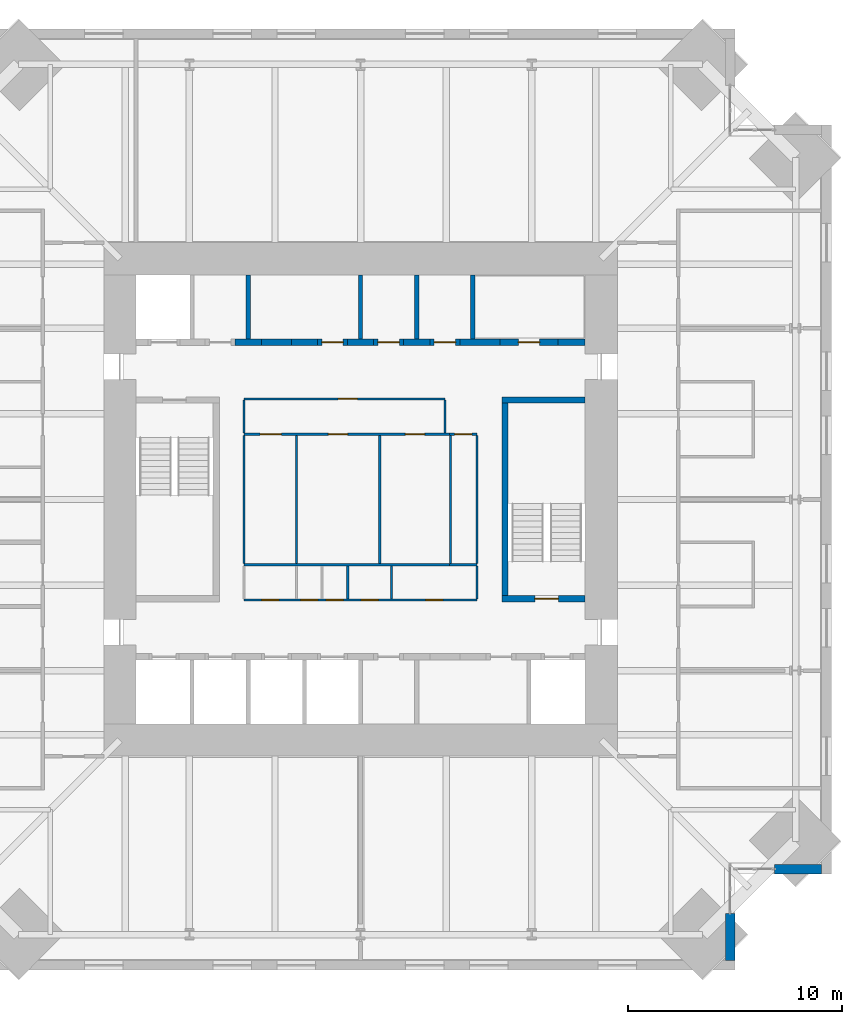
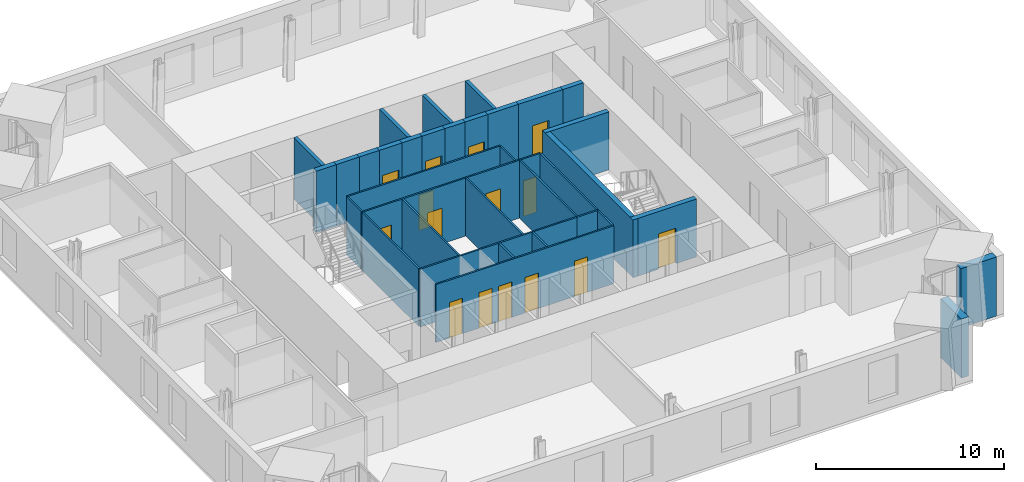
# One storey, part 13 of 16: 36 walls, 15 doors, 15 openings.
"""IFC4 building model written with IfcOpenShell, lengths in metres."""

from ifc_helpers import new_model, si_unit, direction, frame, frame_2d, origin, place, context, subcontext, project, spatial, rectangle, extrude, material, layer, layer_set, type_object, element, fill, save


model = new_model("IFC4")

# Units and contexts
model_context = context("Model", 3, precision=1e-05, world=origin(), true_north=direction((0.0, 1.0)))
body_context = subcontext(model_context, "Body", "Model", "MODEL_VIEW")
ifc_project = project(units=[si_unit("LENGTHUNIT", "METRE"), si_unit("AREAUNIT", "SQUARE_METRE"), si_unit("VOLUMEUNIT", "CUBIC_METRE"), si_unit("PLANEANGLEUNIT", "RADIAN"), si_unit("MASSUNIT", "GRAM", prefix="KILO")], contexts=[model_context])

# Site, building, storey
site_placement = place(None, origin())
site = spatial("IfcSite", under=ifc_project, at=site_placement, CompositionType="ELEMENT")
building_placement = place(site_placement, origin())
building = spatial("IfcBuilding", under=site, at=building_placement, Name="Peilmerk Tower", CompositionType="ELEMENT")
storey_placement = place(building_placement, frame((0.0, 0.0, 261.800048828125)))
storey = spatial("IfcBuildingStorey", under=building, at=storey_placement, Name="L58", CompositionType="ELEMENT", Elevation=261.800048828125)

# Walls
ifc_material_1 = material(Name="Precast concrete C45/55, board-marked finish", Category="concrete")
ifc_layer_1 = layer(ifc_material_1, 0.449951171875)
ifc_layer_set_1 = layer_set([ifc_layer_1], Name="Precast concrete C45/55, board-marked finish")
wall_type_1 = type_object("IfcWallType", Name="EW1 450 precast concrete facade wall, board-marked", PredefinedType="SOLIDWALL", material=ifc_layer_set_1)
for number, where, z_axis, x_axis, name in (
    (1, (17.27490234375, -19.353759765625, 0.0), (0.0, 0.0, 1.0), (0.0, -1.0, 0.0), "Facade wall SEA L58"),
    (2, (19.353759765625, -17.27490234375, 0.0), (0.0, 0.0, 1.0), (1.0, 0.0, 0.0), "Facade wall SEB L58"),
):
    element("IfcWall", number, at=place(storey_placement, frame(where, z_axis=z_axis, x_axis=x_axis)), inside=storey, type_object=wall_type_1, Name=name, PredefinedType="SOLIDWALL", context=body_context, shape_type="SweptSolid", body=[
        extrude(rectangle(XDim=2.1962890625, YDim=0.449951171875, at=frame_2d((1.09814453125, 0.0))), origin(), (0.0, 0.0, 1.0), 3.829833984375),
    ])
ifc_material_2 = material(Name="Concrete C35/45", Category="concrete")
ifc_layer_2 = layer(ifc_material_2, 0.300048828125)
ifc_layer_set_2 = layer_set([ifc_layer_2], Name="Concrete C35/45")
wall_type_2 = type_object("IfcWallType", Name="IW3 300 concrete stair enclosure wall, EI 120", PredefinedType="SOLIDWALL", material=ifc_layer_set_2)
wall_1_placement = place(storey_placement, frame((6.75, -4.800048828125, 0.0), z_axis=(0.0, 0.0, 1.0), x_axis=(0.0, 1.0, 0.0)))
element("IfcWall", 3, at=wall_1_placement, inside=storey, type_object=wall_type_2, Name="Stair 2 enclosure L58", PredefinedType="SOLIDWALL", context=body_context, shape_type="SweptSolid", body=[
    extrude(rectangle(XDim=9.60009765625, YDim=0.300048828125, at=frame_2d((4.800048828125, 0.0))), origin(), (0.0, 0.0, 1.0), 3.75),
])
wall_2_placement = place(storey_placement, frame((6.60009765625, 4.64990234375, 0.0), z_axis=(0.0, 0.0, 1.0), x_axis=(1.0, 0.0, 0.0)))
element("IfcWall", 4, at=wall_2_placement, inside=storey, type_object=wall_type_2, Name="Stair 2 enclosure L58", PredefinedType="SOLIDWALL", context=body_context, shape_type="SweptSolid", body=[
    extrude(rectangle(XDim=3.89990234375, YDim=0.300048828125, at=frame_2d((1.949951171875, 0.0))), origin(), (0.0, 0.0, 1.0), 3.75),
])

# Wall, opening, door
wall_3_placement = place(storey_placement, frame((10.5, -4.64990234375, 0.0), z_axis=(0.0, 0.0, 1.0), x_axis=(-1.0, 0.0, 0.0)))
wall_3 = element("IfcWall", 5, at=wall_3_placement, inside=storey, type_object=wall_type_2, Name="Stair 2 enclosure L58", PredefinedType="SOLIDWALL", context=body_context, shape_type="SweptSolid", body=[
    extrude(rectangle(XDim=3.89990234375, YDim=0.300048828125, at=frame_2d((1.949951171875, 0.0))), origin(), (0.0, 0.0, 1.0), 3.75),
])
opening_1_placement = place(wall_3_placement, frame((1.25, 0.0, 0.0)))
opening_1 = element("IfcOpeningElement", 6, at=opening_1_placement, cuts=wall_3, Name="Opening D4", PredefinedType="OPENING", context=body_context, shape_type="SweptSolid", body=[
    extrude(rectangle(XDim=1.10009765625, YDim=2.300048828125, at=frame_2d((0.550048828125, 1.14990234375))), frame((0.0, 0.159912109375, 0.0), z_axis=(0.0, -1.0, 0.0), x_axis=(1.0, 0.0, 0.0)), (0.0, 0.0, 1.0), 0.320068359375),
])
ifc_material_3 = material(Name="Steel door in steel frame", Category="steel")
door_type_1 = type_object("IfcDoorType", Name="D4 1100x2300 stair door, EI2 60", OperationType="SINGLE_SWING_RIGHT", PredefinedType="DOOR", material=ifc_material_3)
door_1_placement = place(opening_1_placement, frame((1.10009765625, 0.0, 0.0), z_axis=(0.0, 0.0, 1.0), x_axis=(-1.0, 0.0, 0.0)))
door_1 = element("IfcDoor", 7, at=door_1_placement, inside=storey, type_object=door_type_1, Name="Stair 2 door L58", OperationType="SINGLE_SWING_RIGHT", OverallHeight=2.300048828125, OverallWidth=1.10009765625, PredefinedType="DOOR", context=body_context, shape_type="SweptSolid", body=[
    extrude(rectangle(XDim=1.10009765625, YDim=2.300048828125, at=frame_2d((0.550048828125, 1.14990234375))), frame((0.0, 0.02490234375, 0.0), z_axis=(0.0, -1.0, 0.0), x_axis=(1.0, 0.0, 0.0)), (0.0, 0.0, 1.0), 0.050048828125),
])
fill(opening_1, door_1)

# Wall, openings, doors
ifc_material_4 = material(Name="Plasterboard on steel studs", Category="steel")
ifc_layer_3 = layer(ifc_material_4, 0.10009765625)
ifc_layer_set_3 = layer_set([ifc_layer_3], Name="Plasterboard on steel studs")
wall_type_3 = type_object("IfcWallType", Name="IW4 100 WC partition", PredefinedType="PARTITIONING", material=ifc_layer_set_3)
wall_4_placement = place(storey_placement, frame((-5.449951171875, 3.050048828125, 0.0), z_axis=(0.0, 0.0, 1.0), x_axis=(1.0, 0.0, 0.0)))
wall_4 = element("IfcWall", 8, at=wall_4_placement, inside=storey, type_object=wall_type_3, Name="WC wall L58", PredefinedType="PARTITIONING", context=body_context, shape_type="SweptSolid", body=[
    extrude(rectangle(XDim=9.599853515625, YDim=0.10009765625, at=frame_2d((4.7998046875, 0.0))), origin(), (0.0, 0.0, 1.0), 3.75),
])
opening_2_placement = place(wall_4_placement, frame((0.75, 0.0, 0.0)))
opening_2 = element("IfcOpeningElement", 9, at=opening_2_placement, cuts=wall_4, Name="Opening D6", PredefinedType="OPENING", context=body_context, shape_type="SweptSolid", body=[
    extrude(rectangle(XDim=1.0, YDim=2.300048828125, at=frame_2d((0.5, 1.14990234375))), frame((0.0, 0.06005859375, 0.0), z_axis=(0.0, -1.0, 0.0), x_axis=(1.0, 0.0, 0.0)), (0.0, 0.0, 1.0), 0.1201171875),
])
opening_3_placement = place(wall_4_placement, frame((3.949951171875, 0.0, 0.0)))
opening_3 = element("IfcOpeningElement", 10, at=opening_3_placement, cuts=wall_4, Name="Opening D5", PredefinedType="OPENING", context=body_context, shape_type="SweptSolid", body=[
    extrude(rectangle(XDim=0.89990234375, YDim=2.300048828125, at=frame_2d((0.449951171875, 1.14990234375))), frame((0.0, 0.06005859375, 0.0), z_axis=(0.0, -1.0, 0.0), x_axis=(1.0, 0.0, 0.0)), (0.0, 0.0, 1.0), 0.1201171875),
])
opening_4_placement = place(wall_4_placement, frame((7.550048828125, 0.0, 0.0)))
opening_4 = element("IfcOpeningElement", 11, at=opening_4_placement, cuts=wall_4, Name="Opening D5", PredefinedType="OPENING", context=body_context, shape_type="SweptSolid", body=[
    extrude(rectangle(XDim=0.89990234375, YDim=2.300048828125, at=frame_2d((0.449951171875, 1.14990234375))), frame((0.0, 0.06005859375, 0.0), z_axis=(0.0, -1.0, 0.0), x_axis=(1.0, 0.0, 0.0)), (0.0, 0.0, 1.0), 0.1201171875),
])
ifc_material_5 = material(Name="Timber door in steel frame", Category="steel")
door_type_2 = type_object("IfcDoorType", Name="D5 900x2300 WC door", OperationType="SINGLE_SWING_LEFT", PredefinedType="DOOR", material=ifc_material_5)
door_2_placement = place(opening_3_placement, frame((0.89990234375, 0.0, 0.0), z_axis=(0.0, 0.0, 1.0), x_axis=(-1.0, 0.0, 0.0)))
door_2 = element("IfcDoor", 12, at=door_2_placement, inside=storey, type_object=door_type_2, Name="Female toilets door L58", OperationType="SINGLE_SWING_LEFT", OverallHeight=2.300048828125, OverallWidth=0.89990234375, PredefinedType="DOOR", context=body_context, shape_type="SweptSolid", body=[
    extrude(rectangle(XDim=0.89990234375, YDim=2.300048828125, at=frame_2d((0.449951171875, 1.14990234375))), frame((0.0, 0.02490234375, 0.0), z_axis=(0.0, -1.0, 0.0), x_axis=(1.0, 0.0, 0.0)), (0.0, 0.0, 1.0), 0.050048828125),
])
fill(opening_3, door_2)
door_3_placement = place(opening_4_placement, frame((0.89990234375, 0.0, 0.0), z_axis=(0.0, 0.0, 1.0), x_axis=(-1.0, 0.0, 0.0)))
door_3 = element("IfcDoor", 13, at=door_3_placement, inside=storey, type_object=door_type_2, Name="Male toilets door L58", OperationType="SINGLE_SWING_LEFT", OverallHeight=2.300048828125, OverallWidth=0.89990234375, PredefinedType="DOOR", context=body_context, shape_type="SweptSolid", body=[
    extrude(rectangle(XDim=0.89990234375, YDim=2.300048828125, at=frame_2d((0.449951171875, 1.14990234375))), frame((0.0, 0.02490234375, 0.0), z_axis=(0.0, -1.0, 0.0), x_axis=(1.0, 0.0, 0.0)), (0.0, 0.0, 1.0), 0.050048828125),
])
fill(opening_4, door_3)
door_type_3 = type_object("IfcDoorType", Name="D6 1000x2300 accessible WC door", OperationType="SLIDING_TO_LEFT", PredefinedType="DOOR", material=ifc_material_5)
door_4_placement = place(opening_2_placement, frame((1.0, 0.0, 0.0), z_axis=(0.0, 0.0, 1.0), x_axis=(-1.0, 0.0, 0.0)))
door_4 = element("IfcDoor", 14, at=door_4_placement, inside=storey, type_object=door_type_3, Name="Accessible WC door L58", OperationType="SLIDING_TO_LEFT", OverallHeight=2.300048828125, OverallWidth=1.0, PredefinedType="DOOR", context=body_context, shape_type="SweptSolid", body=[
    extrude(rectangle(XDim=1.0, YDim=2.300048828125, at=frame_2d((0.5, 1.14990234375))), frame((0.0, 0.02490234375, 0.0), z_axis=(0.0, -1.0, 0.0), x_axis=(1.0, 0.0, 0.0)), (0.0, 0.0, 1.0), 0.050048828125),
])
fill(opening_2, door_4)

# Walls
wall_5_placement = place(storey_placement, frame((4.14990234375, -3.050048828125, 0.0), z_axis=(0.0, 0.0, 1.0), x_axis=(-1.0, 0.0, 0.0)))
element("IfcWall", 15, at=wall_5_placement, inside=storey, type_object=wall_type_3, Name="WC wall L58", PredefinedType="PARTITIONING", context=body_context, shape_type="SweptSolid", body=[
    extrude(rectangle(XDim=9.599853515625, YDim=0.10009765625, at=frame_2d((4.7998046875, 0.0))), origin(), (0.0, 0.0, 1.0), 3.75),
])
for number, where, z_axis, x_axis, name in (
    (16, (-5.449951171875, -3.0, 0.0), (0.0, 0.0, 1.0), (0.0, 1.0, 0.0), "WC wall L58"),
    (17, (-3.0, -3.0, 0.0), (0.0, 0.0, 1.0), (0.0, 1.0, 0.0), "WC wall L58"),
    (18, (0.89990234375, -3.0, 0.0), (0.0, 0.0, 1.0), (0.0, 1.0, 0.0), "WC wall L58"),
):
    element("IfcWall", number, at=place(storey_placement, frame(where, z_axis=z_axis, x_axis=x_axis)), inside=storey, type_object=wall_type_3, Name=name, PredefinedType="PARTITIONING", context=body_context, shape_type="SweptSolid", body=[
        extrude(rectangle(XDim=6.0, YDim=0.10009765625, at=frame_2d((3.0, 0.0))), origin(), (0.0, 0.0, 1.0), 3.75),
    ])

# Wall, opening, door
ifc_material_6 = material(Name="Calcium silicate board on steel studs", Category="steel")
ifc_layer_4 = layer(ifc_material_6, 0.10009765625)
ifc_layer_set_4 = layer_set([ifc_layer_4], Name="Calcium silicate board on steel studs")
wall_type_4 = type_object("IfcWallType", Name="IW5 100 riser enclosure wall, EI 60", PredefinedType="PARTITIONING", material=ifc_layer_set_4)
wall_6_placement = place(storey_placement, frame((4.14990234375, 3.050048828125, 0.0), z_axis=(0.0, 0.0, 1.0), x_axis=(1.0, 0.0, 0.0)))
wall_6 = element("IfcWall", 19, at=wall_6_placement, inside=storey, type_object=wall_type_4, Name="Riser wall L58", PredefinedType="PARTITIONING", context=body_context, shape_type="SweptSolid", body=[
    extrude(rectangle(XDim=1.300048828125, YDim=0.10009765625, at=frame_2d((0.64990234375, 0.0))), origin(), (0.0, 0.0, 1.0), 3.75),
])
opening_5_placement = place(wall_6_placement, frame((0.25, 0.0, 0.0)))
opening_5 = element("IfcOpeningElement", 20, at=opening_5_placement, cuts=wall_6, Name="Opening D7", PredefinedType="OPENING", context=body_context, shape_type="SweptSolid", body=[
    extrude(rectangle(XDim=0.800048828125, YDim=2.300048828125, at=frame_2d((0.39990234375, 1.14990234375))), frame((0.0, 0.06005859375, 0.0), z_axis=(0.0, -1.0, 0.0), x_axis=(1.0, 0.0, 0.0)), (0.0, 0.0, 1.0), 0.1201171875),
])
door_type_4 = type_object("IfcDoorType", Name="D7 800x2300 riser access door, EI2 60", OperationType="SINGLE_SWING_RIGHT", PredefinedType="DOOR", material=ifc_material_3)
door_5_placement = place(opening_5_placement, frame((0.800048828125, 0.0, 0.0), z_axis=(0.0, 0.0, 1.0), x_axis=(-1.0, 0.0, 0.0)))
door_5 = element("IfcDoor", 21, at=door_5_placement, inside=storey, type_object=door_type_4, Name="Plumbing riser door L58", OperationType="SINGLE_SWING_RIGHT", OverallHeight=2.300048828125, OverallWidth=0.800048828125, PredefinedType="DOOR", context=body_context, shape_type="SweptSolid", body=[
    extrude(rectangle(XDim=0.800048828125, YDim=2.300048828125, at=frame_2d((0.39990234375, 1.14990234375))), frame((0.0, 0.02490234375, 0.0), z_axis=(0.0, -1.0, 0.0), x_axis=(1.0, 0.0, 0.0)), (0.0, 0.0, 1.0), 0.050048828125),
])
fill(opening_5, door_5)

# Walls
wall_7_placement = place(storey_placement, frame((5.449951171875, -3.050048828125, 0.0), z_axis=(0.0, 0.0, 1.0), x_axis=(-1.0, 0.0, 0.0)))
element("IfcWall", 22, at=wall_7_placement, inside=storey, type_object=wall_type_4, Name="Riser wall L58", PredefinedType="PARTITIONING", context=body_context, shape_type="SweptSolid", body=[
    extrude(rectangle(XDim=1.300048828125, YDim=0.10009765625, at=frame_2d((0.64990234375, 0.0))), origin(), (0.0, 0.0, 1.0), 3.75),
])
for number, where, z_axis, x_axis, name in (
    (23, (5.449951171875, 3.0, 0.0), (0.0, 0.0, 1.0), (0.0, -1.0, 0.0), "Riser wall L58"),
    (24, (4.199951171875, -3.0, 0.0), (0.0, 0.0, 1.0), (0.0, 1.0, 0.0), "Riser wall L58"),
):
    element("IfcWall", number, at=place(storey_placement, frame(where, z_axis=z_axis, x_axis=x_axis)), inside=storey, type_object=wall_type_4, Name=name, PredefinedType="PARTITIONING", context=body_context, shape_type="SweptSolid", body=[
        extrude(rectangle(XDim=6.0, YDim=0.10009765625, at=frame_2d((3.0, 0.0))), origin(), (0.0, 0.0, 1.0), 3.75),
    ])

# Wall, openings, doors
wall_8_placement = place(storey_placement, frame((5.449951171875, -4.699951171875, 0.0), z_axis=(0.0, 0.0, 1.0), x_axis=(-1.0, 0.0, 0.0)))
wall_8 = element("IfcWall", 25, at=wall_8_placement, inside=storey, type_object=wall_type_4, Name="Riser wall L58", PredefinedType="PARTITIONING", context=body_context, shape_type="SweptSolid", body=[
    extrude(rectangle(XDim=10.89990234375, YDim=0.10009765625, at=frame_2d((5.449951171875, 0.0))), origin(), (0.0, 0.0, 1.0), 3.75),
])
opening_6_placement = place(wall_8_placement, frame((9.27490234375, 0.0, 0.0)))
opening_6 = element("IfcOpeningElement", 26, at=opening_6_placement, cuts=wall_8, Name="Opening D7", PredefinedType="OPENING", context=body_context, shape_type="SweptSolid", body=[
    extrude(rectangle(XDim=0.800048828125, YDim=2.300048828125, at=frame_2d((0.39990234375, 1.14990234375))), frame((0.0, 0.06005859375, 0.0), z_axis=(0.0, -1.0, 0.0), x_axis=(1.0, 0.0, 0.0)), (0.0, 0.0, 1.0), 0.1201171875),
])
opening_7_placement = place(wall_8_placement, frame((7.449951171875, 0.0, 0.0)))
opening_7 = element("IfcOpeningElement", 27, at=opening_7_placement, cuts=wall_8, Name="Opening D7", PredefinedType="OPENING", context=body_context, shape_type="SweptSolid", body=[
    extrude(rectangle(XDim=0.800048828125, YDim=2.300048828125, at=frame_2d((0.39990234375, 1.14990234375))), frame((0.0, 0.06005859375, 0.0), z_axis=(0.0, -1.0, 0.0), x_axis=(1.0, 0.0, 0.0)), (0.0, 0.0, 1.0), 0.1201171875),
])
opening_8_placement = place(wall_8_placement, frame((6.25, 0.0, 0.0)))
opening_8 = element("IfcOpeningElement", 28, at=opening_8_placement, cuts=wall_8, Name="Opening D7", PredefinedType="OPENING", context=body_context, shape_type="SweptSolid", body=[
    extrude(rectangle(XDim=0.800048828125, YDim=2.300048828125, at=frame_2d((0.39990234375, 1.14990234375))), frame((0.0, 0.06005859375, 0.0), z_axis=(0.0, -1.0, 0.0), x_axis=(1.0, 0.0, 0.0)), (0.0, 0.0, 1.0), 0.1201171875),
])
opening_9_placement = place(wall_8_placement, frame((4.625, 0.0, 0.0)))
opening_9 = element("IfcOpeningElement", 29, at=opening_9_placement, cuts=wall_8, Name="Opening D7", PredefinedType="OPENING", context=body_context, shape_type="SweptSolid", body=[
    extrude(rectangle(XDim=0.800048828125, YDim=2.300048828125, at=frame_2d((0.39990234375, 1.14990234375))), frame((0.0, 0.06005859375, 0.0), z_axis=(0.0, -1.0, 0.0), x_axis=(1.0, 0.0, 0.0)), (0.0, 0.0, 1.0), 0.1201171875),
])
opening_10_placement = place(wall_8_placement, frame((1.60009765625, 0.0, 0.0)))
opening_10 = element("IfcOpeningElement", 30, at=opening_10_placement, cuts=wall_8, Name="Opening D7", PredefinedType="OPENING", context=body_context, shape_type="SweptSolid", body=[
    extrude(rectangle(XDim=0.800048828125, YDim=2.300048828125, at=frame_2d((0.39990234375, 1.14990234375))), frame((0.0, 0.06005859375, 0.0), z_axis=(0.0, -1.0, 0.0), x_axis=(1.0, 0.0, 0.0)), (0.0, 0.0, 1.0), 0.1201171875),
])
door_6_placement = place(opening_6_placement, frame((0.800048828125, 0.0, 0.0), z_axis=(0.0, 0.0, 1.0), x_axis=(-1.0, 0.0, 0.0)))
door_6 = element("IfcDoor", 31, at=door_6_placement, inside=storey, type_object=door_type_4, Name="Cleaner's cupboard door L58", OperationType="SINGLE_SWING_RIGHT", OverallHeight=2.300048828125, OverallWidth=0.800048828125, PredefinedType="DOOR", context=body_context, shape_type="SweptSolid", body=[
    extrude(rectangle(XDim=0.800048828125, YDim=2.300048828125, at=frame_2d((0.39990234375, 1.14990234375))), frame((0.0, 0.02490234375, 0.0), z_axis=(0.0, -1.0, 0.0), x_axis=(1.0, 0.0, 0.0)), (0.0, 0.0, 1.0), 0.050048828125),
])
fill(opening_6, door_6)
door_7_placement = place(opening_7_placement, frame((0.800048828125, 0.0, 0.0), z_axis=(0.0, 0.0, 1.0), x_axis=(-1.0, 0.0, 0.0)))
door_7 = element("IfcDoor", 32, at=door_7_placement, inside=storey, type_object=door_type_4, Name="Electrical riser door L58", OperationType="SINGLE_SWING_RIGHT", OverallHeight=2.300048828125, OverallWidth=0.800048828125, PredefinedType="DOOR", context=body_context, shape_type="SweptSolid", body=[
    extrude(rectangle(XDim=0.800048828125, YDim=2.300048828125, at=frame_2d((0.39990234375, 1.14990234375))), frame((0.0, 0.02490234375, 0.0), z_axis=(0.0, -1.0, 0.0), x_axis=(1.0, 0.0, 0.0)), (0.0, 0.0, 1.0), 0.050048828125),
])
fill(opening_7, door_7)
door_8_placement = place(opening_8_placement, frame((0.800048828125, 0.0, 0.0), z_axis=(0.0, 0.0, 1.0), x_axis=(-1.0, 0.0, 0.0)))
door_8 = element("IfcDoor", 33, at=door_8_placement, inside=storey, type_object=door_type_4, Name="Data riser door L58", OperationType="SINGLE_SWING_RIGHT", OverallHeight=2.300048828125, OverallWidth=0.800048828125, PredefinedType="DOOR", context=body_context, shape_type="SweptSolid", body=[
    extrude(rectangle(XDim=0.800048828125, YDim=2.300048828125, at=frame_2d((0.39990234375, 1.14990234375))), frame((0.0, 0.02490234375, 0.0), z_axis=(0.0, -1.0, 0.0), x_axis=(1.0, 0.0, 0.0)), (0.0, 0.0, 1.0), 0.050048828125),
])
fill(opening_8, door_8)
door_9_placement = place(opening_9_placement, frame((0.800048828125, 0.0, 0.0), z_axis=(0.0, 0.0, 1.0), x_axis=(-1.0, 0.0, 0.0)))
door_9 = element("IfcDoor", 34, at=door_9_placement, inside=storey, type_object=door_type_4, Name="Electrical room door L58", OperationType="SINGLE_SWING_RIGHT", OverallHeight=2.300048828125, OverallWidth=0.800048828125, PredefinedType="DOOR", context=body_context, shape_type="SweptSolid", body=[
    extrude(rectangle(XDim=0.800048828125, YDim=2.300048828125, at=frame_2d((0.39990234375, 1.14990234375))), frame((0.0, 0.02490234375, 0.0), z_axis=(0.0, -1.0, 0.0), x_axis=(1.0, 0.0, 0.0)), (0.0, 0.0, 1.0), 0.050048828125),
])
fill(opening_9, door_9)
door_10_placement = place(opening_10_placement, frame((0.800048828125, 0.0, 0.0), z_axis=(0.0, 0.0, 1.0), x_axis=(-1.0, 0.0, 0.0)))
door_10 = element("IfcDoor", 35, at=door_10_placement, inside=storey, type_object=door_type_4, Name="Comms room door L58", OperationType="SINGLE_SWING_RIGHT", OverallHeight=2.300048828125, OverallWidth=0.800048828125, PredefinedType="DOOR", context=body_context, shape_type="SweptSolid", body=[
    extrude(rectangle(XDim=0.800048828125, YDim=2.300048828125, at=frame_2d((0.39990234375, 1.14990234375))), frame((0.0, 0.02490234375, 0.0), z_axis=(0.0, -1.0, 0.0), x_axis=(1.0, 0.0, 0.0)), (0.0, 0.0, 1.0), 0.050048828125),
])
fill(opening_10, door_10)

# Walls
for number, where, z_axis, x_axis, name in (
    (36, (5.449951171875, -3.10009765625, 0.0), (0.0, 0.0, 1.0), (0.0, -1.0, 0.0), "Riser wall L58"),
    (37, (-0.60009765625, -3.10009765625, 0.0), (0.0, 0.0, 1.0), (0.0, -1.0, 0.0), "Riser wall L58"),
    (38, (1.449951171875, -3.10009765625, 0.0), (0.0, 0.0, 1.0), (0.0, -1.0, 0.0), "Riser wall L58"),
):
    element("IfcWall", number, at=place(storey_placement, frame(where, z_axis=z_axis, x_axis=x_axis)), inside=storey, type_object=wall_type_4, Name=name, PredefinedType="PARTITIONING", context=body_context, shape_type="SweptSolid", body=[
        extrude(rectangle(XDim=1.5498046875, YDim=0.10009765625, at=frame_2d((0.77490234375, 0.0))), origin(), (0.0, 0.0, 1.0), 3.75),
    ])

# Wall, opening, door
ifc_material_7 = material(Name="Fire-resisting plasterboard on steel studs", Category="steel")
ifc_layer_5 = layer(ifc_material_7, 0.10009765625)
ifc_layer_set_5 = layer_set([ifc_layer_5], Name="Fire-resisting plasterboard on steel studs")
wall_type_5 = type_object("IfcWallType", Name="IW9 100 WC lobby wall, EI 30", PredefinedType="PARTITIONING", material=ifc_layer_set_5)
wall_9_placement = place(storey_placement, frame((-5.449951171875, 4.699951171875, 0.0), z_axis=(0.0, 0.0, 1.0), x_axis=(1.0, 0.0, 0.0)))
wall_9 = element("IfcWall", 39, at=wall_9_placement, inside=storey, type_object=wall_type_5, Name="WC lobby wall L58", PredefinedType="PARTITIONING", context=body_context, shape_type="SweptSolid", body=[
    extrude(rectangle(XDim=9.39990234375, YDim=0.10009765625, at=frame_2d((4.699951171875, 0.0))), origin(), (0.0, 0.0, 1.0), 3.75),
])
opening_11_placement = place(wall_9_placement, frame((4.39990234375, 0.0, 0.0)))
opening_11 = element("IfcOpeningElement", 40, at=opening_11_placement, cuts=wall_9, Name="Opening D11", PredefinedType="OPENING", context=body_context, shape_type="SweptSolid", body=[
    extrude(rectangle(XDim=0.89990234375, YDim=2.300048828125, at=frame_2d((0.449951171875, 1.14990234375))), frame((0.0, 0.06005859375, 0.0), z_axis=(0.0, -1.0, 0.0), x_axis=(1.0, 0.0, 0.0)), (0.0, 0.0, 1.0), 0.1201171875),
])
door_type_5 = type_object("IfcDoorType", Name="D11 900x2300 WC lobby door, EI2 30", OperationType="SINGLE_SWING_LEFT", PredefinedType="DOOR", material=ifc_material_5)
door_11_placement = place(opening_11_placement, frame((0.89990234375, 0.0, 0.0), z_axis=(0.0, 0.0, 1.0), x_axis=(-1.0, 0.0, 0.0)))
door_11 = element("IfcDoor", 41, at=door_11_placement, inside=storey, type_object=door_type_5, Name="WC lobby door L58", OperationType="SINGLE_SWING_LEFT", OverallHeight=2.300048828125, OverallWidth=0.89990234375, PredefinedType="DOOR", context=body_context, shape_type="SweptSolid", body=[
    extrude(rectangle(XDim=0.89990234375, YDim=2.300048828125, at=frame_2d((0.449951171875, 1.14990234375))), frame((0.0, 0.02490234375, 0.0), z_axis=(0.0, -1.0, 0.0), x_axis=(1.0, 0.0, 0.0)), (0.0, 0.0, 1.0), 0.050048828125),
])
fill(opening_11, door_11)

# Walls
for number, where, z_axis, x_axis, name in (
    (42, (-5.449951171875, 3.10009765625, 0.0), (0.0, 0.0, 1.0), (0.0, 1.0, 0.0), "WC lobby wall L58"),
    (43, (3.949951171875, 3.10009765625, 0.0), (0.0, 0.0, 1.0), (0.0, 1.0, 0.0), "WC lobby wall L58"),
):
    element("IfcWall", number, at=place(storey_placement, frame(where, z_axis=z_axis, x_axis=x_axis)), inside=storey, type_object=wall_type_5, Name=name, PredefinedType="PARTITIONING", context=body_context, shape_type="SweptSolid", body=[
        extrude(rectangle(XDim=1.5498046875, YDim=0.10009765625, at=frame_2d((0.77490234375, 0.0))), origin(), (0.0, 0.0, 1.0), 3.75),
    ])
ifc_material_8 = material(Name="Calcium silicate block", Category="masonry")
ifc_layer_6 = layer(ifc_material_8, 0.199951171875)
ifc_layer_set_6 = layer_set([ifc_layer_6], Name="Calcium silicate block")
wall_type_6 = type_object("IfcWallType", Name="SH1 200 shaft dividing wall, EI 120", PredefinedType="PARTITIONING", material=ifc_layer_set_6)
for number, where, z_axis, x_axis, name in (
    (44, (-5.25, 7.5, 0.0), (0.0, 0.0, 1.0), (0.0, 1.0, 0.0), "Shaft wall N A1 L58"),
    (45, (0.0, 7.5, 0.0), (0.0, 0.0, 1.0), (0.0, 1.0, 0.0), "Shaft wall N A3 L58"),
    (46, (2.625, 7.5, 0.0), (0.0, 0.0, 1.0), (0.0, 1.0, 0.0), "Shaft wall N S1 L58"),
    (47, (5.25, 7.5, 0.0), (0.0, 0.0, 1.0), (0.0, 1.0, 0.0), "Shaft wall N S2 L58"),
):
    element("IfcWall", number, at=place(storey_placement, frame(where, z_axis=z_axis, x_axis=x_axis)), inside=storey, type_object=wall_type_6, Name=name, PredefinedType="PARTITIONING", context=body_context, shape_type="SweptSolid", body=[
        extrude(rectangle(XDim=3.0, YDim=0.199951171875, at=frame_2d((1.5, 0.0))), origin(), (0.0, 0.0, 1.0), 4.0),
    ])
ifc_layer_7 = layer(ifc_material_8, 0.300048828125)
ifc_layer_set_7 = layer_set([ifc_layer_7], Name="Calcium silicate block")
wall_type_7 = type_object("IfcWallType", Name="SH2 300 lift landing door panel, EI 120", PredefinedType="PARTITIONING", material=ifc_layer_set_7)
wall_10_placement = place(storey_placement, frame((-4.637451171875, 7.35009765625, 0.0), z_axis=(0.0, 0.0, 1.0), x_axis=(1.0, 0.0, 0.0)))
element("IfcWall", 48, at=wall_10_placement, inside=storey, type_object=wall_type_7, Name="Lift door panel N A2 L58", PredefinedType="PARTITIONING", context=body_context, shape_type="SweptSolid", body=[
    extrude(rectangle(XDim=1.39990234375, YDim=0.300048828125, at=frame_2d((0.699951171875, 0.0))), origin(), (0.0, 0.0, 1.0), 4.0),
])

# Wall, opening, door
wall_11_placement = place(storey_placement, frame((-2.012451171875, 7.35009765625, 0.0), z_axis=(0.0, 0.0, 1.0), x_axis=(1.0, 0.0, 0.0)))
wall_11 = element("IfcWall", 49, at=wall_11_placement, inside=storey, type_object=wall_type_7, Name="Lift door panel N A3 L58", PredefinedType="PARTITIONING", context=body_context, shape_type="SweptSolid", body=[
    extrude(rectangle(XDim=1.39990234375, YDim=0.300048828125, at=frame_2d((0.699951171875, 0.0))), origin(), (0.0, 0.0, 1.0), 4.0),
])
opening_12_placement = place(wall_11_placement, frame((0.199951171875, 0.0, 0.0)))
opening_12 = element("IfcOpeningElement", 50, at=opening_12_placement, cuts=wall_11, Name="Opening D10", PredefinedType="OPENING", context=body_context, shape_type="SweptSolid", body=[
    extrude(rectangle(XDim=1.0, YDim=2.300048828125, at=frame_2d((0.5, 1.14990234375))), frame((0.0, 0.159912109375, 0.0), z_axis=(0.0, -1.0, 0.0), x_axis=(1.0, 0.0, 0.0)), (0.0, 0.0, 1.0), 0.320068359375),
])
door_type_6 = type_object("IfcDoorType", Name="D10 1000x2300 core room door, EI2 60", OperationType="SINGLE_SWING_RIGHT", PredefinedType="DOOR", material=ifc_material_3)
door_12_placement = place(opening_12_placement, origin())
door_12 = element("IfcDoor", 51, at=door_12_placement, inside=storey, type_object=door_type_6, Name="Door Mail room L58", OperationType="SINGLE_SWING_RIGHT", OverallHeight=2.300048828125, OverallWidth=1.0, PredefinedType="DOOR", context=body_context, shape_type="SweptSolid", body=[
    extrude(rectangle(XDim=1.0, YDim=2.300048828125, at=frame_2d((0.5, 1.14990234375))), frame((0.0, 0.02490234375, 0.0), z_axis=(0.0, -1.0, 0.0), x_axis=(1.0, 0.0, 0.0)), (0.0, 0.0, 1.0), 0.050048828125),
])
fill(opening_12, door_12)

wall_12_placement = place(storey_placement, frame((0.612548828125, 7.35009765625, 0.0), z_axis=(0.0, 0.0, 1.0), x_axis=(1.0, 0.0, 0.0)))
wall_12 = element("IfcWall", 52, at=wall_12_placement, inside=storey, type_object=wall_type_7, Name="Lift door panel N S1 L58", PredefinedType="PARTITIONING", context=body_context, shape_type="SweptSolid", body=[
    extrude(rectangle(XDim=1.39990234375, YDim=0.300048828125, at=frame_2d((0.699951171875, 0.0))), origin(), (0.0, 0.0, 1.0), 4.0),
])
opening_13_placement = place(wall_12_placement, frame((0.199951171875, 0.0, 0.0)))
opening_13 = element("IfcOpeningElement", 53, at=opening_13_placement, cuts=wall_12, Name="Opening D10", PredefinedType="OPENING", context=body_context, shape_type="SweptSolid", body=[
    extrude(rectangle(XDim=1.0, YDim=2.300048828125, at=frame_2d((0.5, 1.14990234375))), frame((0.0, 0.159912109375, 0.0), z_axis=(0.0, -1.0, 0.0), x_axis=(1.0, 0.0, 0.0)), (0.0, 0.0, 1.0), 0.320068359375),
])
door_13_placement = place(opening_13_placement, origin())
door_13 = element("IfcDoor", 54, at=door_13_placement, inside=storey, type_object=door_type_6, Name="Door Water meter room L58", OperationType="SINGLE_SWING_RIGHT", OverallHeight=2.300048828125, OverallWidth=1.0, PredefinedType="DOOR", context=body_context, shape_type="SweptSolid", body=[
    extrude(rectangle(XDim=1.0, YDim=2.300048828125, at=frame_2d((0.5, 1.14990234375))), frame((0.0, 0.02490234375, 0.0), z_axis=(0.0, -1.0, 0.0), x_axis=(1.0, 0.0, 0.0)), (0.0, 0.0, 1.0), 0.050048828125),
])
fill(opening_13, door_13)

wall_13_placement = place(storey_placement, frame((3.237548828125, 7.35009765625, 0.0), z_axis=(0.0, 0.0, 1.0), x_axis=(1.0, 0.0, 0.0)))
wall_13 = element("IfcWall", 55, at=wall_13_placement, inside=storey, type_object=wall_type_7, Name="Lift door panel N S2 L58", PredefinedType="PARTITIONING", context=body_context, shape_type="SweptSolid", body=[
    extrude(rectangle(XDim=1.39990234375, YDim=0.300048828125, at=frame_2d((0.699951171875, 0.0))), origin(), (0.0, 0.0, 1.0), 4.0),
])
opening_14_placement = place(wall_13_placement, frame((0.199951171875, 0.0, 0.0)))
opening_14 = element("IfcOpeningElement", 56, at=opening_14_placement, cuts=wall_13, Name="Opening D10", PredefinedType="OPENING", context=body_context, shape_type="SweptSolid", body=[
    extrude(rectangle(XDim=1.0, YDim=2.300048828125, at=frame_2d((0.5, 1.14990234375))), frame((0.0, 0.159912109375, 0.0), z_axis=(0.0, -1.0, 0.0), x_axis=(1.0, 0.0, 0.0)), (0.0, 0.0, 1.0), 0.320068359375),
])
door_14_placement = place(opening_14_placement, origin())
door_14 = element("IfcDoor", 57, at=door_14_placement, inside=storey, type_object=door_type_6, Name="Door IT room L58", OperationType="SINGLE_SWING_RIGHT", OverallHeight=2.300048828125, OverallWidth=1.0, PredefinedType="DOOR", context=body_context, shape_type="SweptSolid", body=[
    extrude(rectangle(XDim=1.0, YDim=2.300048828125, at=frame_2d((0.5, 1.14990234375))), frame((0.0, 0.02490234375, 0.0), z_axis=(0.0, -1.0, 0.0), x_axis=(1.0, 0.0, 0.0)), (0.0, 0.0, 1.0), 0.050048828125),
])
fill(opening_14, door_14)

wall_14_placement = place(storey_placement, frame((6.52490234375, 7.35009765625, 0.0), z_axis=(0.0, 0.0, 1.0), x_axis=(1.0, 0.0, 0.0)))
wall_14 = element("IfcWall", 58, at=wall_14_placement, inside=storey, type_object=wall_type_7, Name="Lift door panel N GL1 L58", PredefinedType="PARTITIONING", context=body_context, shape_type="SweptSolid", body=[
    extrude(rectangle(XDim=2.7001953125, YDim=0.300048828125, at=frame_2d((1.35009765625, 0.0))), origin(), (0.0, 0.0, 1.0), 4.0),
])
opening_15_placement = place(wall_14_placement, frame((0.85009765625, 0.0, 0.0)))
opening_15 = element("IfcOpeningElement", 59, at=opening_15_placement, cuts=wall_14, Name="Opening D10", PredefinedType="OPENING", context=body_context, shape_type="SweptSolid", body=[
    extrude(rectangle(XDim=1.0, YDim=2.300048828125, at=frame_2d((0.5, 1.14990234375))), frame((0.0, 0.159912109375, 0.0), z_axis=(0.0, -1.0, 0.0), x_axis=(1.0, 0.0, 0.0)), (0.0, 0.0, 1.0), 0.320068359375),
])
door_15_placement = place(opening_15_placement, origin())
door_15 = element("IfcDoor", 60, at=door_15_placement, inside=storey, type_object=door_type_6, Name="Door Pantry L58", OperationType="SINGLE_SWING_RIGHT", OverallHeight=2.300048828125, OverallWidth=1.0, PredefinedType="DOOR", context=body_context, shape_type="SweptSolid", body=[
    extrude(rectangle(XDim=1.0, YDim=2.300048828125, at=frame_2d((0.5, 1.14990234375))), frame((0.0, 0.02490234375, 0.0), z_axis=(0.0, -1.0, 0.0), x_axis=(1.0, 0.0, 0.0)), (0.0, 0.0, 1.0), 0.050048828125),
])
fill(opening_15, door_15)

# Walls
ifc_material_9 = material(Name="Concrete C55/67", Category="concrete")
ifc_layer_8 = layer(ifc_material_9, 0.300048828125)
ifc_layer_set_8 = layer_set([ifc_layer_8], Name="Concrete C55/67")
wall_type_8 = type_object("IfcWallType", Name="SW2 300 lift bank pier", PredefinedType="SHEAR", material=ifc_layer_set_8)
for number, where, z_axis, x_axis, name in (
    (61, (-5.862548828125, 7.35009765625, 0.0), (0.0, 0.0, 1.0), (1.0, 0.0, 0.0), "Lift bank pier N L58"),
    (62, (-3.237548828125, 7.35009765625, 0.0), (0.0, 0.0, 1.0), (1.0, 0.0, 0.0), "Lift bank pier N L58"),
    (63, (-0.612548828125, 7.35009765625, 0.0), (0.0, 0.0, 1.0), (1.0, 0.0, 0.0), "Lift bank pier N L58"),
    (64, (2.012451171875, 7.35009765625, 0.0), (0.0, 0.0, 1.0), (1.0, 0.0, 0.0), "Lift bank pier N L58"),
):
    element("IfcWall", number, at=place(storey_placement, frame(where, z_axis=z_axis, x_axis=x_axis)), inside=storey, type_object=wall_type_8, Name=name, PredefinedType="SHEAR", context=body_context, shape_type="SweptSolid", body=[
        extrude(rectangle(XDim=1.22509765625, YDim=0.300048828125, at=frame_2d((0.612548828125, 0.0))), origin(), (0.0, 0.0, 1.0), 4.0),
    ])
wall_15_placement = place(storey_placement, frame((4.637451171875, 7.35009765625, 0.0), z_axis=(0.0, 0.0, 1.0), x_axis=(1.0, 0.0, 0.0)))
element("IfcWall", 65, at=wall_15_placement, inside=storey, type_object=wall_type_8, Name="Lift bank pier N L58", PredefinedType="SHEAR", context=body_context, shape_type="SweptSolid", body=[
    extrude(rectangle(XDim=1.887451171875, YDim=0.300048828125, at=frame_2d((0.94384765625, 0.0))), origin(), (0.0, 0.0, 1.0), 4.0),
])
wall_16_placement = place(storey_placement, frame((9.22509765625, 7.35009765625, 0.0), z_axis=(0.0, 0.0, 1.0), x_axis=(1.0, 0.0, 0.0)))
element("IfcWall", 66, at=wall_16_placement, inside=storey, type_object=wall_type_8, Name="Lift bank pier N L58", PredefinedType="SHEAR", context=body_context, shape_type="SweptSolid", body=[
    extrude(rectangle(XDim=1.27490234375, YDim=0.300048828125, at=frame_2d((0.637451171875, 0.0))), origin(), (0.0, 0.0, 1.0), 4.0),
])

save(model, "model.ifc")
